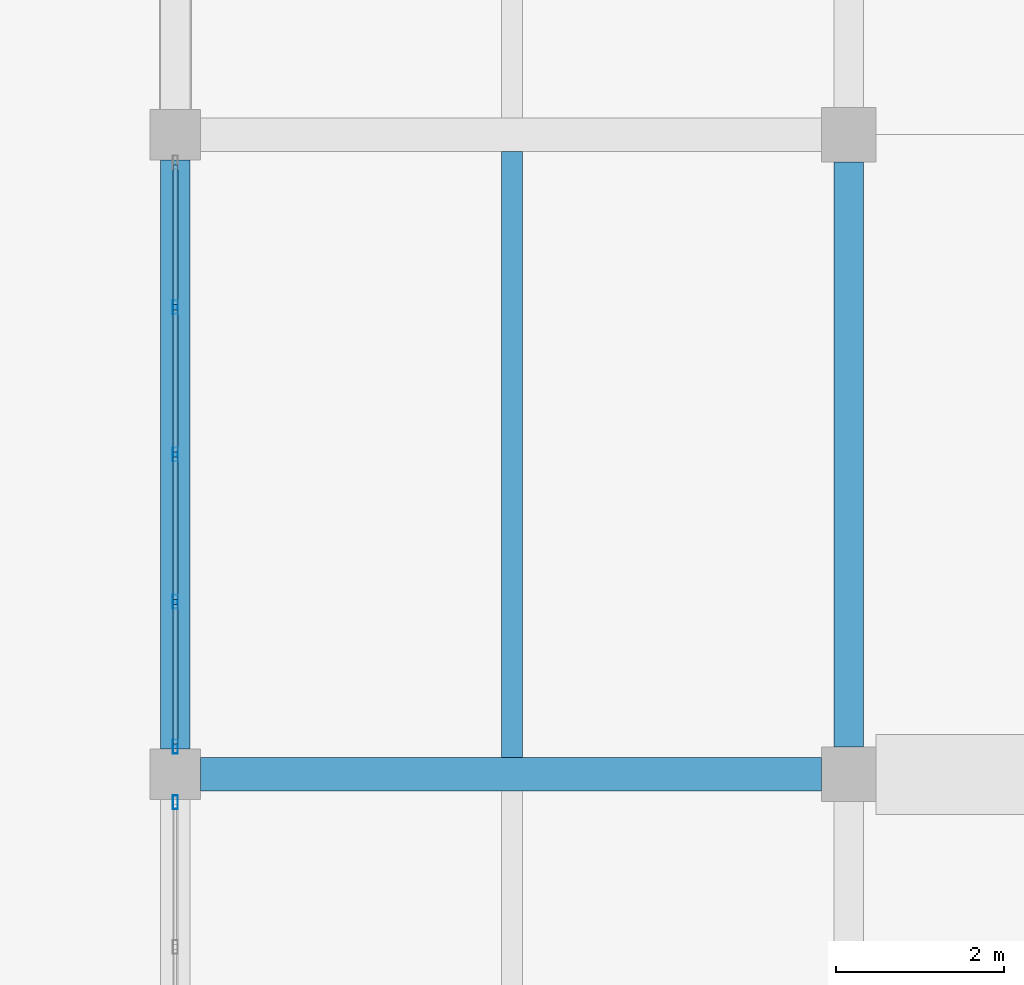
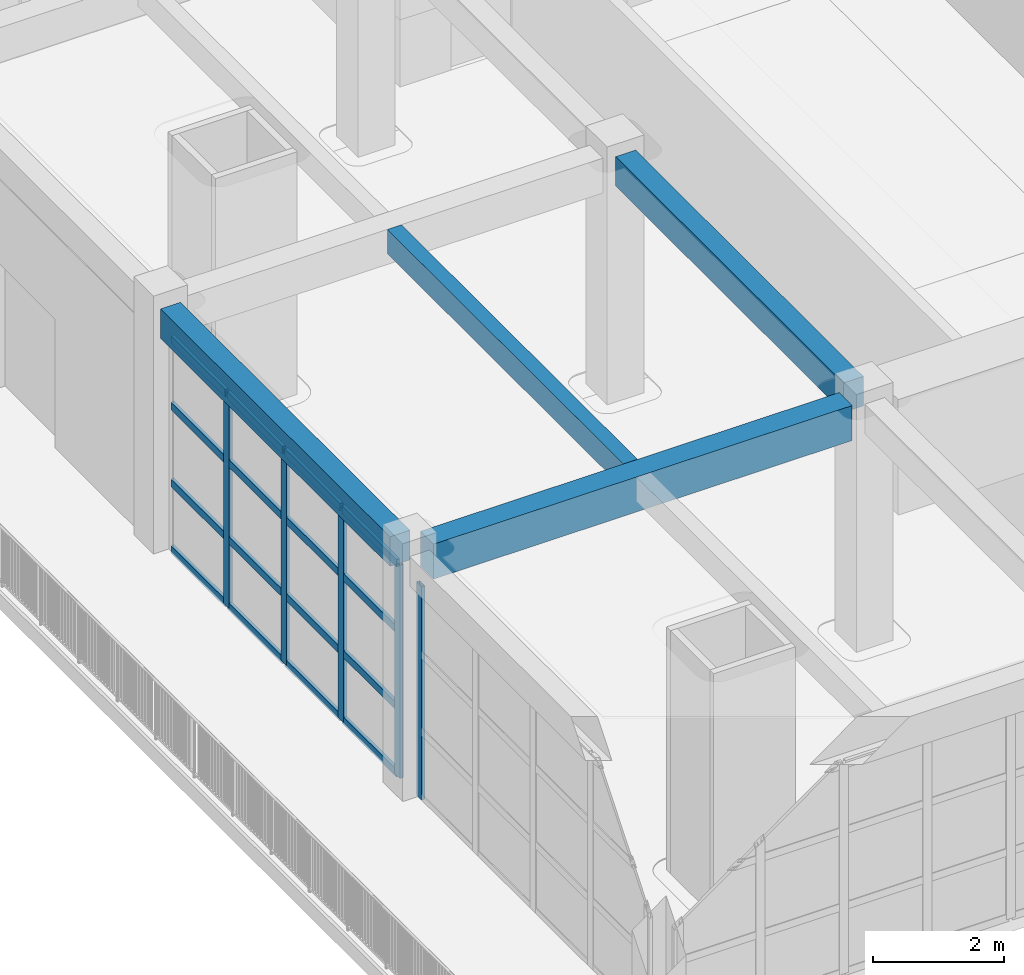
# One storey, part 6 of 50: 21 members, 4 beams, 2 elements without a shape of their own.
"""IFC4 building model written with IfcOpenShell, lengths in metres."""

import ifcopenshell
import ifcopenshell.guid

model = None  # the IFC model being written
_history = None  # IfcOwnerHistory: only IFC2X3 demands one
_inside = {}  # id of a spatial element -> (the spatial element, [elements in it])
_under = {}  # id of a project, library or spatial element -> (it, [spatial elements below it])
_declared = {}  # id of a project -> (the project, [libraries it declares])
_typed = {}  # id of a type object -> (the type object, [elements of that type])
_made_of = {}  # id of a material, layer set ... -> (it, [elements and type objects made of it])


def new_model(schema):
    """Start an empty IFC model of exactly this schema.

    Asked for "IFC4X3", IfcOpenShell would pick the latest addendum, in which some entities
    have other attributes; the version numbers below select the first issue.
    IFC2X3 requires an IfcOwnerHistory on every rooted entity: one is made here for all.
    """
    global model, _history
    if schema == "IFC4X3":
        model = ifcopenshell.file(schema_version=(4, 3, 0, 0))
    else:
        model = ifcopenshell.file(schema=schema)
    _inside.clear()
    _under.clear()
    _declared.clear()
    _typed.clear()
    _made_of.clear()
    _history = None
    if model.schema == "IFC2X3":
        org = make("IfcOrganization", Name="unknown")
        user = make(
            "IfcPersonAndOrganization",
            ThePerson=make("IfcPerson", FamilyName="unknown"),
            TheOrganization=org,
        )
        app = make(
            "IfcApplication",
            ApplicationDeveloper=org,
            Version="unknown",
            ApplicationFullName="unknown",
            ApplicationIdentifier="unknown",
        )
        _history = make(
            "IfcOwnerHistory",
            OwningUser=user,
            OwningApplication=app,
            ChangeAction="ADDED",
            CreationDate=0,
        )
    return model


def make(cls, **values):
    """One entity of the class cls with the attributes given. An attribute that is None is left unset."""
    return model.create_entity(
        cls, **{name: value for name, value in values.items() if value is not None}
    )


def rooted(cls, **values):
    """An entity with a GlobalId (a new one), such as an element, a storey or a relation."""
    return make(cls, GlobalId=ifcopenshell.guid.new(), OwnerHistory=_history, **values)


def si_unit(unit_type, name, prefix=None):
    """IfcSIUnit, for example si_unit("LENGTHUNIT", "METRE", prefix="MILLI")."""
    return make("IfcSIUnit", UnitType=unit_type, Prefix=prefix, Name=name)


def assignment(units):
    """IfcUnitAssignment: the units of a project."""
    return None if units is None else make("IfcUnitAssignment", Units=units)


def point(xyz):
    """IfcCartesianPoint."""
    return None if xyz is None else make("IfcCartesianPoint", Coordinates=xyz)


def direction(xyz):
    """IfcDirection."""
    return None if xyz is None else make("IfcDirection", DirectionRatios=xyz)


def frame(location, z_axis=None, x_axis=None):
    """IfcAxis2Placement3D, a coordinate frame: its origin and axes. An axis left out is left unset."""
    return make(
        "IfcAxis2Placement3D",
        Location=point(location),
        Axis=direction(z_axis),
        RefDirection=direction(x_axis),
    )


def frame_2d(location, x_axis=None):
    """IfcAxis2Placement2D, a coordinate frame in the plane: its origin and x axis."""
    return make(
        "IfcAxis2Placement2D", Location=point(location), RefDirection=direction(x_axis)
    )


def origin():
    """The frame at (0, 0, 0) with its axes left unset."""
    return frame((0.0, 0.0, 0.0))


def origin_2d():
    """The frame at (0, 0) in the plane with its x axis left unset."""
    return frame_2d((0.0, 0.0))


def place(relative_to, where):
    """IfcLocalPlacement: puts the frame where relative to a parent placement (None: the world)."""
    return make(
        "IfcLocalPlacement", PlacementRelTo=relative_to, RelativePlacement=where
    )


def context(
    kind, dimensions, precision=None, world=None, true_north=None, identifier=None
):
    """IfcGeometricRepresentationContext, for example the 3D "Model" context."""
    return make(
        "IfcGeometricRepresentationContext",
        ContextIdentifier=identifier,
        ContextType=kind,
        CoordinateSpaceDimension=dimensions,
        Precision=precision,
        WorldCoordinateSystem=world,
        TrueNorth=true_north,
    )


def subcontext(parent, identifier, kind, view, scale=None):
    """IfcGeometricRepresentationSubContext, for example "Body" below "Model"."""
    return make(
        "IfcGeometricRepresentationSubContext",
        ContextIdentifier=identifier,
        ContextType=kind,
        ParentContext=parent,
        TargetScale=scale,
        TargetView=view,
    )


def project(units=None, contexts=None):
    """IfcProject with its units and contexts."""
    return rooted(
        "IfcProject",
        Name="project",
        RepresentationContexts=contexts,
        UnitsInContext=assignment(units),
    )


def spatial(cls, under=None, at=None, **own):
    """A site, building, storey or space (cls), placed at a placement, below another one or the project."""
    s = rooted(cls, ObjectPlacement=at, **own)
    if under is not None:
        _under.setdefault(under.id(), (under, []))[1].append(s)
    return s


def profile(cls, at=None, kind="AREA", **sizes):
    """A parametric profile (cls). Its sizes go by their IFC names, for example OverallWidth=200.0."""
    return make(cls, ProfileType=kind, Position=at, **sizes)


def rectangle(**sizes):
    """IfcRectangleProfileDef."""
    return profile("IfcRectangleProfileDef", **sizes)


def hollow_rectangle(**sizes):
    """IfcRectangleHollowProfileDef."""
    return profile("IfcRectangleHollowProfileDef", **sizes)


def extrude(swept, where, along, depth):
    """IfcExtrudedAreaSolid: the profile swept, set in the frame where, extruded along a direction by depth."""
    return make(
        "IfcExtrudedAreaSolid",
        SweptArea=swept,
        Position=where,
        ExtrudedDirection=direction(along),
        Depth=depth,
    )


def shape(context_of_items, identifier, shape_type, items):
    """IfcShapeRepresentation: the items that make up one representation, for example the "Body"."""
    return make(
        "IfcShapeRepresentation",
        ContextOfItems=context_of_items,
        RepresentationIdentifier=identifier,
        RepresentationType=shape_type,
        Items=items,
    )


def material(Name=None, Category=None):
    """IfcMaterial."""
    return make("IfcMaterial", Name=Name, Category=Category)


def material_profile(
    of_material, cross_section, Name=None, Category=None, Priority=None
):
    """IfcMaterialProfile: a cross section and its material."""
    return make(
        "IfcMaterialProfile",
        Name=Name,
        Material=of_material,
        Profile=cross_section,
        Priority=Priority,
        Category=Category,
    )


def profile_set(profiles, Name=None, composite=None):
    """IfcMaterialProfileSet."""
    return make(
        "IfcMaterialProfileSet",
        Name=Name,
        MaterialProfiles=profiles,
        CompositeProfile=composite,
    )


def made_of(thing, what):
    """Note that an element or type object is made of a material, layer set ...; save() writes the relation."""
    if what is not None:
        _made_of.setdefault(what.id(), (what, []))[1].append(thing)
    return thing


def type_object(cls, material=None, **own):
    """A type object (cls), such as IfcWallType, which elements share."""
    return made_of(rooted(cls, **own), material)


def element(
    cls,
    number,
    at=None,
    inside=None,
    cuts=None,
    type_object=None,
    material=None,
    context=None,
    identifier="Body",
    shape_type=None,
    held_by="IfcProductDefinitionShape",
    body=None,
    shapes=None,
    **own,
):
    """One element of the class cls, such as IfcWall. Its Tag is "e" and its number.

    at: its placement. inside: the storey or other place that contains it. cuts: it is an
    opening in that element (IfcRelVoidsElement). A single representation is given by context,
    identifier, shape_type and body (its items); several are given by shapes. held_by: the class
    of the entity that holds the representations. save() writes the other relations.
    """
    e = rooted(cls, Tag="e%d" % number, ObjectPlacement=at, **own)
    if body is not None:
        shapes = [shape(context, identifier, shape_type, body)]
    if shapes is not None:
        e.Representation = make(held_by, Representations=shapes)
    if inside is not None:
        _inside.setdefault(inside.id(), (inside, []))[1].append(e)
    if cuts is not None:
        rooted(
            "IfcRelVoidsElement", RelatingBuildingElement=cuts, RelatedOpeningElement=e
        )
    if type_object is not None:
        _typed.setdefault(type_object.id(), (type_object, []))[1].append(e)
    return made_of(e, material)


def aggregate(whole, parts):
    """IfcRelAggregates: a whole, such as a stair, and the parts it consists of."""
    return rooted("IfcRelAggregates", RelatingObject=whole, RelatedObjects=parts)


def save(model, path):
    """Write the relations noted so far, then the file.

    IfcRelAggregates (storeys below a building ...), IfcRelContainedInSpatialStructure (elements
    in a storey), IfcRelDefinesByType, IfcRelAssociatesMaterial and IfcRelDeclares: one each for
    every whole, place, type object, material and project.
    """
    for whole, parts in _under.values():
        aggregate(whole, parts)
    for where, things in _inside.values():
        rooted(
            "IfcRelContainedInSpatialStructure",
            RelatedElements=things,
            RelatingStructure=where,
        )
    for kind, things in _typed.values():
        rooted("IfcRelDefinesByType", RelatedObjects=things, RelatingType=kind)
    for what, things in _made_of.values():
        rooted("IfcRelAssociatesMaterial", RelatedObjects=things, RelatingMaterial=what)
    for by, libraries in _declared.values():
        rooted("IfcRelDeclares", RelatingContext=by, RelatedDefinitions=libraries)
    model.write(path)


model = new_model("IFC4")

# Units and contexts
model_context = context("Model", 3, precision=1e-05, world=origin(), true_north=direction((0.0, 1.0)))
body_context = subcontext(model_context, "Body", "Model", "MODEL_VIEW")
ifc_project = project(units=[si_unit("LENGTHUNIT", "METRE"), si_unit("AREAUNIT", "SQUARE_METRE"), si_unit("VOLUMEUNIT", "CUBIC_METRE"), si_unit("PLANEANGLEUNIT", "RADIAN"), si_unit("MASSUNIT", "GRAM", prefix="KILO")], contexts=[model_context])

# Site, building, storey
site_placement = place(None, origin())
site = spatial("IfcSite", under=ifc_project, at=site_placement, CompositionType="ELEMENT")
building_placement = place(site_placement, origin())
building = spatial("IfcBuilding", under=site, at=building_placement, Name="Zantavel Square City Hall", CompositionType="ELEMENT")
storey_placement = place(building_placement, frame((0.0, 0.0, 18.89990234375)))
storey = spatial("IfcBuildingStorey", under=building, at=storey_placement, Name="L05", CompositionType="ELEMENT", Elevation=18.89990234375)

# Curtain wall, member
ifc_material_1 = material(Name="Anodised aluminium 6063-T6", Category="aluminium")
curtain_wall_type = type_object("IfcCurtainWallType", Name="Curtain Wall TRV1 7000x3970", PredefinedType="USERDEFINED", material=ifc_material_1)
curtain_wall_1_placement = place(storey_placement, origin())
curtain_wall_1 = element("IfcCurtainWall", 1, at=curtain_wall_1_placement, inside=storey, type_object=curtain_wall_type, Name="L05 Glazed Curtain Wall CW-L05-140", ObjectType="GLAZED CURTAIN WALL", PredefinedType="USERDEFINED")
ifc_material_profile_1 = material_profile(ifc_material_1, hollow_rectangle(XDim=0.06005859375, YDim=0.1650390625, WallThickness=0.00390625, at=origin_2d()), Name="ALU 60x165x4")
ifc_profile_set_1 = profile_set([ifc_material_profile_1], Name="Anodised aluminium 6063-T6")
member_type_1 = type_object("IfcMemberType", Name="CW Council Gallery Mullion ALU 60x165x4", PredefinedType="MULLION", material=ifc_profile_set_1)
member_1_placement = place(storey_placement, frame((56.0, 37.669921875, 0.0), z_axis=(0.0, 0.0, 1.0), x_axis=(-1.0, 0.0, 0.0)))
member_1 = element("IfcMember", 2, at=member_1_placement, type_object=member_type_1, Name="CW-140 mullion 5", PredefinedType="MULLION", context=body_context, shape_type="SweptSolid", body=[
    extrude(hollow_rectangle(XDim=0.06005859375, YDim=0.1650390625, WallThickness=0.00390625, at=origin_2d()), origin(), (0.0, 0.0, 1.0), 3.97021484375),
])
aggregate(curtain_wall_1, [member_1])

# Curtain wall, members
curtain_wall_2_placement = place(storey_placement, origin())
curtain_wall_2 = element("IfcCurtainWall", 3, at=curtain_wall_2_placement, inside=storey, type_object=curtain_wall_type, Name="L05 Glazed Curtain Wall CW-L05-141", ObjectType="GLAZED CURTAIN WALL", PredefinedType="USERDEFINED")
member_2_placement = place(storey_placement, frame((56.0, 38.330078125, 0.0), z_axis=(0.0, 0.0, 1.0), x_axis=(-1.0, 0.0, 0.0)))
member_2 = element("IfcMember", 4, at=member_2_placement, type_object=member_type_1, Name="CW-141 mullion 1", PredefinedType="MULLION", context=body_context, shape_type="SweptSolid", body=[
    extrude(hollow_rectangle(XDim=0.06005859375, YDim=0.1650390625, WallThickness=0.00390625, at=origin_2d()), origin(), (0.0, 0.0, 1.0), 3.97021484375),
])
member_3_placement = place(storey_placement, frame((56.0, 40.050048828125, 0.0), z_axis=(0.0, 0.0, 1.0), x_axis=(-1.0, 0.0, 0.0)))
member_3 = element("IfcMember", 5, at=member_3_placement, type_object=member_type_1, Name="CW-141 mullion 2", PredefinedType="MULLION", context=body_context, shape_type="SweptSolid", body=[
    extrude(hollow_rectangle(XDim=0.06005859375, YDim=0.1650390625, WallThickness=0.00390625, at=origin_2d()), origin(), (0.0, 0.0, 1.0), 3.97021484375),
])
member_4_placement = place(storey_placement, frame((56.0, 41.800048828125, 0.0), z_axis=(0.0, 0.0, 1.0), x_axis=(-1.0, 0.0, 0.0)))
member_4 = element("IfcMember", 6, at=member_4_placement, type_object=member_type_1, Name="CW-141 mullion 3", PredefinedType="MULLION", context=body_context, shape_type="SweptSolid", body=[
    extrude(hollow_rectangle(XDim=0.06005859375, YDim=0.1650390625, WallThickness=0.00390625, at=origin_2d()), origin(), (0.0, 0.0, 1.0), 3.97021484375),
])
member_5_placement = place(storey_placement, frame((56.0, 43.550048828125, 0.0), z_axis=(0.0, 0.0, 1.0), x_axis=(-1.0, 0.0, 0.0)))
member_5 = element("IfcMember", 7, at=member_5_placement, type_object=member_type_1, Name="CW-141 mullion 4", PredefinedType="MULLION", context=body_context, shape_type="SweptSolid", body=[
    extrude(hollow_rectangle(XDim=0.06005859375, YDim=0.1650390625, WallThickness=0.00390625, at=origin_2d()), origin(), (0.0, 0.0, 1.0), 3.97021484375),
])
ifc_material_profile_2 = material_profile(ifc_material_1, hollow_rectangle(XDim=0.06005859375, YDim=0.139892578125, WallThickness=0.00390625, at=origin_2d()), Name="ALU 60x140x4")
ifc_profile_set_2 = profile_set([ifc_material_profile_2], Name="Anodised aluminium 6063-T6")
member_type_2 = type_object("IfcMemberType", Name="CW Transom ALU 60x140x4", PredefinedType="USERDEFINED", material=ifc_profile_set_2)
member_6_placement = place(storey_placement, frame((56.0, 38.360107421875, 0.030029296875), z_axis=(0.0, 1.0, 0.0), x_axis=(-1.0, 0.0, 0.0)))
member_6 = element("IfcMember", 8, at=member_6_placement, type_object=member_type_2, Name="CW-141 transom 1.1", ObjectType="TRANSOM", PredefinedType="USERDEFINED", context=body_context, shape_type="SweptSolid", body=[
    extrude(hollow_rectangle(XDim=0.06005859375, YDim=0.139892578125, WallThickness=0.00390625, at=origin_2d()), origin(), (0.0, 0.0, 1.0), 1.659912109375),
])
member_7_placement = place(storey_placement, frame((56.0, 38.360107421875, 1.27001953125), z_axis=(0.0, 1.0, 0.0), x_axis=(-1.0, 0.0, 0.0)))
member_7 = element("IfcMember", 9, at=member_7_placement, type_object=member_type_2, Name="CW-141 transom 1.2", ObjectType="TRANSOM", PredefinedType="USERDEFINED", context=body_context, shape_type="SweptSolid", body=[
    extrude(hollow_rectangle(XDim=0.06005859375, YDim=0.139892578125, WallThickness=0.00390625, at=origin_2d()), origin(), (0.0, 0.0, 1.0), 1.659912109375),
])
member_8_placement = place(storey_placement, frame((56.0, 38.360107421875, 2.7001953125), z_axis=(0.0, 1.0, 0.0), x_axis=(-1.0, 0.0, 0.0)))
member_8 = element("IfcMember", 10, at=member_8_placement, type_object=member_type_2, Name="CW-141 transom 1.3", ObjectType="TRANSOM", PredefinedType="USERDEFINED", context=body_context, shape_type="SweptSolid", body=[
    extrude(hollow_rectangle(XDim=0.06005859375, YDim=0.139892578125, WallThickness=0.00390625, at=origin_2d()), origin(), (0.0, 0.0, 1.0), 1.659912109375),
])
member_9_placement = place(storey_placement, frame((56.0, 38.360107421875, 3.940185546875), z_axis=(0.0, 1.0, 0.0), x_axis=(-1.0, 0.0, 0.0)))
member_9 = element("IfcMember", 11, at=member_9_placement, type_object=member_type_2, Name="CW-141 transom 1.4", ObjectType="TRANSOM", PredefinedType="USERDEFINED", context=body_context, shape_type="SweptSolid", body=[
    extrude(hollow_rectangle(XDim=0.06005859375, YDim=0.139892578125, WallThickness=0.00390625, at=origin_2d()), origin(), (0.0, 0.0, 1.0), 1.659912109375),
])
member_10_placement = place(storey_placement, frame((56.0, 40.080078125, 0.030029296875), z_axis=(0.0, 1.0, 0.0), x_axis=(-1.0, 0.0, 0.0)))
member_10 = element("IfcMember", 12, at=member_10_placement, type_object=member_type_2, Name="CW-141 transom 2.1", ObjectType="TRANSOM", PredefinedType="USERDEFINED", context=body_context, shape_type="SweptSolid", body=[
    extrude(hollow_rectangle(XDim=0.06005859375, YDim=0.139892578125, WallThickness=0.00390625, at=origin_2d()), origin(), (0.0, 0.0, 1.0), 1.68994140625),
])
member_11_placement = place(storey_placement, frame((56.0, 40.080078125, 1.27001953125), z_axis=(0.0, 1.0, 0.0), x_axis=(-1.0, 0.0, 0.0)))
member_11 = element("IfcMember", 13, at=member_11_placement, type_object=member_type_2, Name="CW-141 transom 2.2", ObjectType="TRANSOM", PredefinedType="USERDEFINED", context=body_context, shape_type="SweptSolid", body=[
    extrude(hollow_rectangle(XDim=0.06005859375, YDim=0.139892578125, WallThickness=0.00390625, at=origin_2d()), origin(), (0.0, 0.0, 1.0), 1.68994140625),
])
member_12_placement = place(storey_placement, frame((56.0, 40.080078125, 2.7001953125), z_axis=(0.0, 1.0, 0.0), x_axis=(-1.0, 0.0, 0.0)))
member_12 = element("IfcMember", 14, at=member_12_placement, type_object=member_type_2, Name="CW-141 transom 2.3", ObjectType="TRANSOM", PredefinedType="USERDEFINED", context=body_context, shape_type="SweptSolid", body=[
    extrude(hollow_rectangle(XDim=0.06005859375, YDim=0.139892578125, WallThickness=0.00390625, at=origin_2d()), origin(), (0.0, 0.0, 1.0), 1.68994140625),
])
member_13_placement = place(storey_placement, frame((56.0, 40.080078125, 3.940185546875), z_axis=(0.0, 1.0, 0.0), x_axis=(-1.0, 0.0, 0.0)))
member_13 = element("IfcMember", 15, at=member_13_placement, type_object=member_type_2, Name="CW-141 transom 2.4", ObjectType="TRANSOM", PredefinedType="USERDEFINED", context=body_context, shape_type="SweptSolid", body=[
    extrude(hollow_rectangle(XDim=0.06005859375, YDim=0.139892578125, WallThickness=0.00390625, at=origin_2d()), origin(), (0.0, 0.0, 1.0), 1.68994140625),
])
member_14_placement = place(storey_placement, frame((56.0, 41.830078125, 0.030029296875), z_axis=(0.0, 1.0, 0.0), x_axis=(-1.0, 0.0, 0.0)))
member_14 = element("IfcMember", 16, at=member_14_placement, type_object=member_type_2, Name="CW-141 transom 3.1", ObjectType="TRANSOM", PredefinedType="USERDEFINED", context=body_context, shape_type="SweptSolid", body=[
    extrude(hollow_rectangle(XDim=0.06005859375, YDim=0.139892578125, WallThickness=0.00390625, at=origin_2d()), origin(), (0.0, 0.0, 1.0), 1.68994140625),
])
member_15_placement = place(storey_placement, frame((56.0, 41.830078125, 1.27001953125), z_axis=(0.0, 1.0, 0.0), x_axis=(-1.0, 0.0, 0.0)))
member_15 = element("IfcMember", 17, at=member_15_placement, type_object=member_type_2, Name="CW-141 transom 3.2", ObjectType="TRANSOM", PredefinedType="USERDEFINED", context=body_context, shape_type="SweptSolid", body=[
    extrude(hollow_rectangle(XDim=0.06005859375, YDim=0.139892578125, WallThickness=0.00390625, at=origin_2d()), origin(), (0.0, 0.0, 1.0), 1.68994140625),
])
member_16_placement = place(storey_placement, frame((56.0, 41.830078125, 2.7001953125), z_axis=(0.0, 1.0, 0.0), x_axis=(-1.0, 0.0, 0.0)))
member_16 = element("IfcMember", 18, at=member_16_placement, type_object=member_type_2, Name="CW-141 transom 3.3", ObjectType="TRANSOM", PredefinedType="USERDEFINED", context=body_context, shape_type="SweptSolid", body=[
    extrude(hollow_rectangle(XDim=0.06005859375, YDim=0.139892578125, WallThickness=0.00390625, at=origin_2d()), origin(), (0.0, 0.0, 1.0), 1.68994140625),
])
member_17_placement = place(storey_placement, frame((56.0, 41.830078125, 3.940185546875), z_axis=(0.0, 1.0, 0.0), x_axis=(-1.0, 0.0, 0.0)))
member_17 = element("IfcMember", 19, at=member_17_placement, type_object=member_type_2, Name="CW-141 transom 3.4", ObjectType="TRANSOM", PredefinedType="USERDEFINED", context=body_context, shape_type="SweptSolid", body=[
    extrude(hollow_rectangle(XDim=0.06005859375, YDim=0.139892578125, WallThickness=0.00390625, at=origin_2d()), origin(), (0.0, 0.0, 1.0), 1.68994140625),
])
member_18_placement = place(storey_placement, frame((56.0, 43.580078125, 0.030029296875), z_axis=(0.0, 1.0, 0.0), x_axis=(-1.0, 0.0, 0.0)))
member_18 = element("IfcMember", 20, at=member_18_placement, type_object=member_type_2, Name="CW-141 transom 4.1", ObjectType="TRANSOM", PredefinedType="USERDEFINED", context=body_context, shape_type="SweptSolid", body=[
    extrude(hollow_rectangle(XDim=0.06005859375, YDim=0.139892578125, WallThickness=0.00390625, at=origin_2d()), origin(), (0.0, 0.0, 1.0), 1.659912109375),
])
member_19_placement = place(storey_placement, frame((56.0, 43.580078125, 1.27001953125), z_axis=(0.0, 1.0, 0.0), x_axis=(-1.0, 0.0, 0.0)))
member_19 = element("IfcMember", 21, at=member_19_placement, type_object=member_type_2, Name="CW-141 transom 4.2", ObjectType="TRANSOM", PredefinedType="USERDEFINED", context=body_context, shape_type="SweptSolid", body=[
    extrude(hollow_rectangle(XDim=0.06005859375, YDim=0.139892578125, WallThickness=0.00390625, at=origin_2d()), origin(), (0.0, 0.0, 1.0), 1.659912109375),
])
member_20_placement = place(storey_placement, frame((56.0, 43.580078125, 2.7001953125), z_axis=(0.0, 1.0, 0.0), x_axis=(-1.0, 0.0, 0.0)))
member_20 = element("IfcMember", 22, at=member_20_placement, type_object=member_type_2, Name="CW-141 transom 4.3", ObjectType="TRANSOM", PredefinedType="USERDEFINED", context=body_context, shape_type="SweptSolid", body=[
    extrude(hollow_rectangle(XDim=0.06005859375, YDim=0.139892578125, WallThickness=0.00390625, at=origin_2d()), origin(), (0.0, 0.0, 1.0), 1.659912109375),
])
member_21_placement = place(storey_placement, frame((56.0, 43.580078125, 3.940185546875), z_axis=(0.0, 1.0, 0.0), x_axis=(-1.0, 0.0, 0.0)))
member_21 = element("IfcMember", 23, at=member_21_placement, type_object=member_type_2, Name="CW-141 transom 4.4", ObjectType="TRANSOM", PredefinedType="USERDEFINED", context=body_context, shape_type="SweptSolid", body=[
    extrude(hollow_rectangle(XDim=0.06005859375, YDim=0.139892578125, WallThickness=0.00390625, at=origin_2d()), origin(), (0.0, 0.0, 1.0), 1.659912109375),
])
aggregate(curtain_wall_2, [member_2, member_3, member_4, member_5, member_6, member_7, member_8, member_9, member_10, member_11, member_12, member_13, member_14, member_15, member_16, member_17, member_18, member_19, member_20, member_21])

# Beams
ifc_material_2 = material(Name="Concrete C35/45", Category="concrete")
ifc_material_profile_3 = material_profile(ifc_material_2, rectangle(XDim=0.39990234375, YDim=0.64990234375, at=origin_2d()), Name="RC 400x650")
ifc_profile_set_3 = profile_set([ifc_material_profile_3], Name="Concrete C35/45")
beam_type_1 = type_object("IfcBeamType", Name="Frame Beam RC 400x650 C35/45", PredefinedType="BEAM", material=ifc_profile_set_3)
beam_1_placement = place(storey_placement, frame((56.300048828125, 38.0, 4.195068359375), z_axis=(1.0, 0.0, 0.0), x_axis=(0.0, 1.0, 0.0)))
element("IfcBeam", 24, at=beam_1_placement, inside=storey, type_object=beam_type_1, Name="L05 Girder BMX-L05-0560-0380", PredefinedType="BEAM", context=body_context, shape_type="SweptSolid", body=[
    extrude(rectangle(XDim=0.39990234375, YDim=0.64990234375, at=origin_2d()), origin(), (0.0, 0.0, 1.0), 7.375),
])
ifc_material_profile_4 = material_profile(ifc_material_2, rectangle(XDim=0.25, YDim=0.449951171875, at=origin_2d()), Name="RC 250x450")
ifc_profile_set_4 = profile_set([ifc_material_profile_4], Name="Concrete C35/45")
beam_type_2 = type_object("IfcBeamType", Name="Light Floor Joist RC 250x450 C35/45", PredefinedType="JOIST", material=ifc_profile_set_4)
beam_2_placement = place(storey_placement, frame((60.0, 38.199951171875, 4.295166015625), z_axis=(0.0, 1.0, 0.0), x_axis=(-1.0, 0.0, 0.0)))
element("IfcBeam", 25, at=beam_2_placement, inside=storey, type_object=beam_type_2, Name="L05 Floor Joist JST-L05-0600-0380", PredefinedType="JOIST", context=body_context, shape_type="SweptSolid", body=[
    extrude(rectangle(XDim=0.25, YDim=0.449951171875, at=origin_2d()), origin(), (0.0, 0.0, 1.0), 7.199951171875),
])
ifc_material_profile_5 = material_profile(ifc_material_2, rectangle(XDim=0.35009765625, YDim=0.550048828125, at=origin_2d()), Name="RC 350x550")
ifc_profile_set_5 = profile_set([ifc_material_profile_5], Name="Concrete C35/45")
beam_type_3 = type_object("IfcBeamType", Name="Secondary Beam RC 350x550 C35/45", PredefinedType="BEAM", material=ifc_profile_set_5)
beam_3_placement = place(storey_placement, frame((56.0, 38.300048828125, 4.2451171875), z_axis=(0.0, 1.0, 0.0), x_axis=(-1.0, 0.0, 0.0)))
element("IfcBeam", 26, at=beam_3_placement, inside=storey, type_object=beam_type_3, Name="L05 Beam BMY-L05-0560-0380", PredefinedType="BEAM", context=body_context, shape_type="SweptSolid", body=[
    extrude(rectangle(XDim=0.35009765625, YDim=0.550048828125, at=origin_2d()), origin(), (0.0, 0.0, 1.0), 7.0),
])
beam_4_placement = place(storey_placement, frame((64.0, 38.324951171875, 4.295166015625), z_axis=(0.0, 1.0, 0.0), x_axis=(-1.0, 0.0, 0.0)))
element("IfcBeam", 27, at=beam_4_placement, inside=storey, type_object=beam_type_3, Name="L05 Beam BMY-L05-0640-0380", PredefinedType="BEAM", context=body_context, shape_type="SweptSolid", body=[
    extrude(rectangle(XDim=0.35009765625, YDim=0.550048828125, at=origin_2d()), origin(), (0.0, 0.0, 1.0), 6.949951171875),
])

save(model, "model.ifc")
